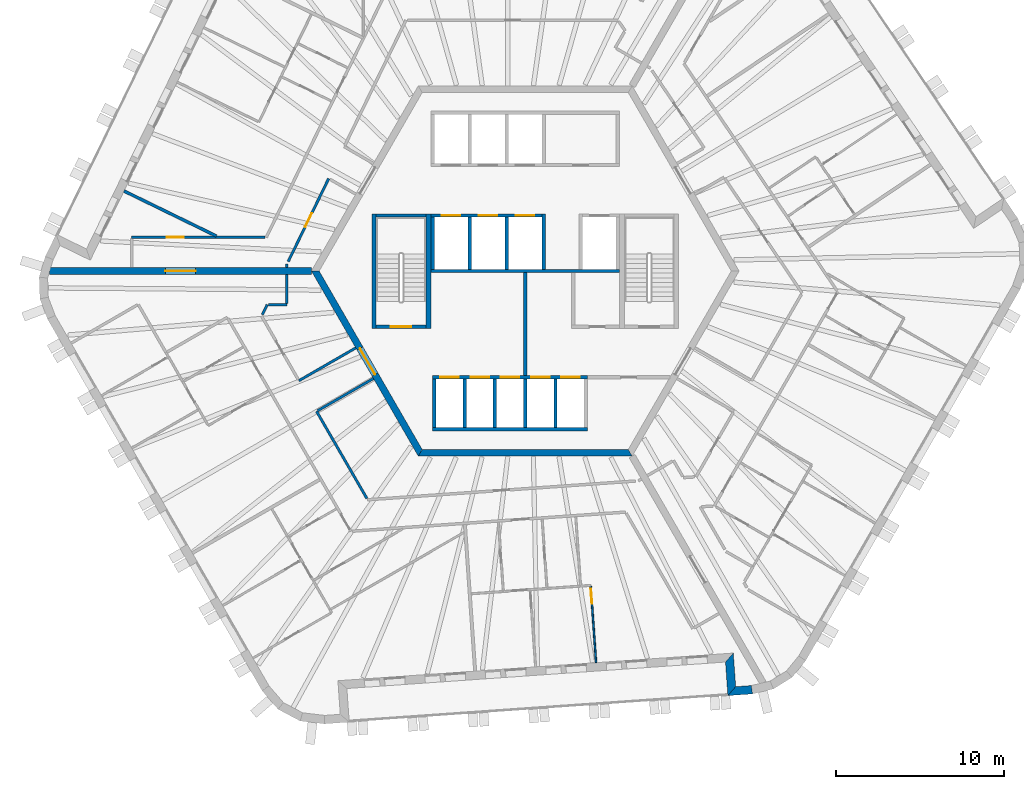
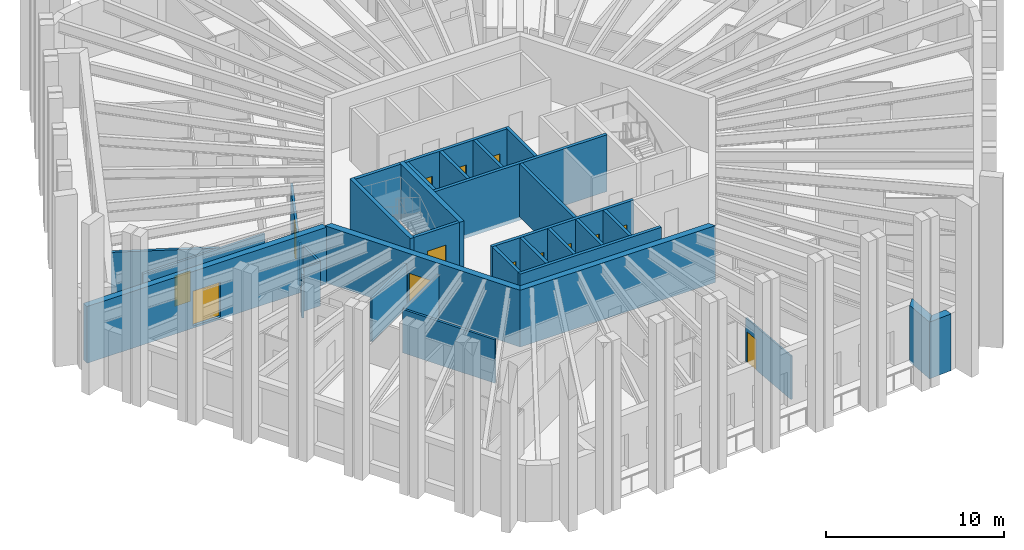
# One storey, part 5 of 13: 34 walls, 14 doors, 14 openings.
"""IFC4 building model written with IfcOpenShell, lengths in metres."""

from ifc_helpers import new_model, si_unit, direction, frame, frame_2d, origin, place, context, subcontext, project, spatial, polyline, rectangle, outline, extrude, material, layer, layer_set, type_object, element, fill, save


model = new_model("IFC4")

# Units and contexts
model_context = context("Model", 3, precision=1e-05, world=origin(), true_north=direction((0.0, 1.0)))
body_context = subcontext(model_context, "Body", "Model", "MODEL_VIEW")
ifc_project = project(units=[si_unit("LENGTHUNIT", "METRE"), si_unit("AREAUNIT", "SQUARE_METRE"), si_unit("VOLUMEUNIT", "CUBIC_METRE"), si_unit("PLANEANGLEUNIT", "RADIAN"), si_unit("MASSUNIT", "GRAM", prefix="KILO")], contexts=[model_context])

# Site, building, storey
site_placement = place(None, origin())
site = spatial("IfcSite", under=ifc_project, at=site_placement, CompositionType="ELEMENT")
building_placement = place(site_placement, origin())
building = spatial("IfcBuilding", under=site, at=building_placement, Name="Tarnside Tower", CompositionType="ELEMENT")
storey_placement = place(building_placement, frame((0.0, 0.0, 314.699951171875)))
storey = spatial("IfcBuildingStorey", under=building, at=storey_placement, Name="L76", CompositionType="ELEMENT", Elevation=314.699951171875)

# Wall
ifc_material_1 = material(Name="Concrete C40/50", Category="concrete")
ifc_layer_1 = layer(ifc_material_1, 0.199951171875)
ifc_layer_set_1 = layer_set([ifc_layer_1], Name="Core room partition 200 C40/50")
wall_type_1 = type_object("IfcWallType", Name="Core room partition 200 C40/50", PredefinedType="PARTITIONING", material=ifc_layer_set_1)
wall_1_placement = place(storey_placement, frame((0.0, -6.199951171875, 0.0), z_axis=(0.0, 0.0, 1.0), x_axis=(0.0, 1.0, 0.0)))
element("IfcWall", 1, at=wall_1_placement, inside=storey, type_object=wall_type_1, Name="L76 core partition X0", PredefinedType="PARTITIONING", context=body_context, shape_type="SweptSolid", body=[
    extrude(rectangle(XDim=6.099853515625, YDim=0.199951171875, at=frame_2d((3.0498046875, 0.0))), origin(), (0.0, 0.0, 1.0), 3.650146484375),
])

# Wall, opening, door
ifc_material_2 = material(Name="Concrete C60/75", Category="concrete")
ifc_layer_2 = layer(ifc_material_2, 0.39990234375)
ifc_layer_set_2 = layer_set([ifc_layer_2], Name="Core wall Z3 400 C60/75")
wall_type_2 = type_object("IfcWallType", Name="Core wall Z3 400 C60/75", PredefinedType="SHEAR", material=ifc_layer_set_2)
wall_2_placement = place(storey_placement, frame((-12.470703125, 0.0, -0.14990234375), z_axis=(0.0, 0.0, 1.0), x_axis=(0.499996419489, -0.866027470984, 0.0)))
wall_2 = element("IfcWall", 2, at=wall_2_placement, inside=storey, type_object=wall_type_2, Name="L76 core wall face 3", PredefinedType="SHEAR", context=body_context, shape_type="SweptSolid", body=[
    extrude(outline(polyline([(-0.115478515625, -0.199951171875), (12.586181640625, -0.199951171875), (12.355224609375, 0.199951171875), (0.115478515625, 0.199951171875), (-0.115478515625, -0.199951171875)])), origin(), (0.0, 0.0, 1.0), 3.89990234375),
])
opening_1_placement = place(wall_2_placement, frame((5.306396484375, 0.0, 0.14990234375)))
opening_1 = element("IfcOpeningElement", 3, at=opening_1_placement, cuts=wall_2, Name="Opening CD-FFL", PredefinedType="OPENING", context=body_context, shape_type="SweptSolid", body=[
    extrude(rectangle(XDim=1.800048828125, YDim=2.39990234375, at=frame_2d((0.89990234375, 1.199951171875))), frame((0.0, 0.2099609375, 0.0), z_axis=(0.0, -1.0, 0.0), x_axis=(1.0, 0.0, 0.0)), (0.0, 0.0, 1.0), 0.419921875),
])
ifc_material_3 = material(Name="Steel fire door", Category="steel")
door_type_1 = type_object("IfcDoorType", Name="Firefighting lobby double door FD60S 1800x2400", OperationType="NOTDEFINED", PredefinedType="DOOR", material=ifc_material_3)
door_1_placement = place(opening_1_placement, origin())
door_1 = element("IfcDoor", 4, at=door_1_placement, inside=storey, type_object=door_type_1, Name="L76 core door P3", OperationType="DOUBLE_DOOR_SINGLE_SWING", OverallHeight=2.39990234375, OverallWidth=1.800048828125, PredefinedType="DOOR", context=body_context, shape_type="SweptSolid", body=[
    extrude(rectangle(XDim=1.800048828125, YDim=2.39990234375, at=frame_2d((0.89990234375, 1.199951171875))), frame((0.0, 0.02490234375, 0.0), z_axis=(0.0, -1.0, 0.0), x_axis=(1.0, 0.0, 0.0)), (0.0, 0.0, 1.0), 0.050048828125),
])
fill(opening_1, door_1)

# Wall
wall_3_placement = place(storey_placement, frame((-6.2353515625, -10.800048828125, -0.14990234375), z_axis=(0.0, 0.0, 1.0), x_axis=(1.0, 0.0, 0.0)))
element("IfcWall", 5, at=wall_3_placement, inside=storey, type_object=wall_type_2, Name="L76 core wall face 4", PredefinedType="SHEAR", context=body_context, shape_type="SweptSolid", body=[
    extrude(outline(polyline([(-0.115478515625, -0.199951171875), (12.586181640625, -0.199951171875), (12.355224609375, 0.199951171875), (0.115478515625, 0.199951171875), (-0.115478515625, -0.199951171875)])), origin(), (0.0, 0.0, 1.0), 3.89990234375),
])

# Wall, opening, door
wall_4_placement = place(storey_placement, frame((-12.70166015625, 0.0, -0.14990234375), z_axis=(0.0, 0.0, 1.0), x_axis=(-1.0, 0.0, 0.0)))
wall_4 = element("IfcWall", 6, at=wall_4_placement, inside=storey, type_object=wall_type_2, Name="L76 spine wall 2", PredefinedType="SHEAR", context=body_context, shape_type="SweptSolid", body=[
    extrude(rectangle(XDim=15.54443359375, YDim=0.39990234375, at=frame_2d((7.772216796875, 0.0))), origin(), (0.0, 0.0, 1.0), 3.89990234375),
])
opening_2_placement = place(wall_4_placement, frame((6.872314453125, 0.0, 0.14990234375)))
opening_2 = element("IfcOpeningElement", 7, at=opening_2_placement, cuts=wall_4, Name="Opening CD-SPN", PredefinedType="OPENING", context=body_context, shape_type="SweptSolid", body=[
    extrude(rectangle(XDim=1.800048828125, YDim=2.39990234375, at=frame_2d((0.89990234375, 1.199951171875))), frame((0.0, 0.2099609375, 0.0), z_axis=(0.0, -1.0, 0.0), x_axis=(1.0, 0.0, 0.0)), (0.0, 0.0, 1.0), 0.419921875),
])
door_type_2 = type_object("IfcDoorType", Name="Spine passage double door FD60 1800x2400", OperationType="NOTDEFINED", PredefinedType="DOOR", material=ifc_material_3)
door_2_placement = place(opening_2_placement, origin())
door_2 = element("IfcDoor", 8, at=door_2_placement, inside=storey, type_object=door_type_2, Name="L76 spine passage door 2", OperationType="DOUBLE_DOOR_SINGLE_SWING", OverallHeight=2.39990234375, OverallWidth=1.800048828125, PredefinedType="DOOR", context=body_context, shape_type="SweptSolid", body=[
    extrude(rectangle(XDim=1.800048828125, YDim=2.39990234375, at=frame_2d((0.89990234375, 1.199951171875))), frame((0.0, 0.02490234375, 0.0), z_axis=(0.0, -1.0, 0.0), x_axis=(1.0, 0.0, 0.0)), (0.0, 0.0, 1.0), 0.050048828125),
])
fill(opening_2, door_2)

ifc_material_4 = material(Name="Gypsum board partition on steel studs", Category="steel")
ifc_layer_3 = layer(ifc_material_4, 0.14990234375)
ifc_layer_set_3 = layer_set([ifc_layer_3], Name="Corridor wall 150 EI 60")
wall_type_3 = type_object("IfcWallType", Name="Corridor wall 150 EI 60", PredefinedType="PARTITIONING", material=ifc_layer_set_3)
wall_5_placement = place(storey_placement, frame((-15.463134765625, 2.0, 0.0), z_axis=(0.0, 0.0, 1.0), x_axis=(-1.0, 0.0, 0.0)))
wall_5 = element("IfcWall", 9, at=wall_5_placement, inside=storey, type_object=wall_type_3, Name="Corridor wall 25014", PredefinedType="PARTITIONING", context=body_context, shape_type="SweptSolid", body=[
    extrude(rectangle(XDim=7.910888671875, YDim=0.14990234375, at=frame_2d((3.95556640625, 0.0))), origin(), (0.0, 0.0, 1.0), 2.98779296875),
])
opening_3_placement = place(wall_5_placement, frame((4.8173828125, 0.0, 0.0)))
opening_3 = element("IfcOpeningElement", 10, at=opening_3_placement, cuts=wall_5, Name="Opening D-E1", PredefinedType="OPENING", context=body_context, shape_type="SweptSolid", body=[
    extrude(rectangle(XDim=1.0, YDim=2.10009765625, at=frame_2d((0.5, 1.050048828125))), frame((0.0, 0.0849609375, 0.0), z_axis=(0.0, -1.0, 0.0), x_axis=(1.0, 0.0, 0.0)), (0.0, 0.0, 1.0), 0.169921875),
])
ifc_material_5 = material(Name="Timber door leaf", Category="wood")
door_type_3 = type_object("IfcDoorType", Name="Unit entrance door 1000 FD30S", OperationType="NOTDEFINED", PredefinedType="DOOR", material=ifc_material_5)
door_3_placement = place(opening_3_placement, origin())
door_3 = element("IfcDoor", 11, at=door_3_placement, inside=storey, type_object=door_type_3, Name="Unit door 25021", OperationType="SINGLE_SWING_LEFT", OverallHeight=2.10009765625, OverallWidth=1.0, PredefinedType="DOOR", context=body_context, shape_type="SweptSolid", body=[
    extrude(rectangle(XDim=1.0, YDim=2.10009765625, at=frame_2d((0.5, 1.050048828125))), frame((0.0, 0.02490234375, 0.0), z_axis=(0.0, -1.0, 0.0), x_axis=(1.0, 0.0, 0.0)), (0.0, 0.0, 1.0), 0.050048828125),
])
fill(opening_3, door_3)

# Wall
wall_6_placement = place(storey_placement, frame((-14.152587890625, 0.199951171875, 0.0), z_axis=(0.0, 0.0, 1.0), x_axis=(0.0, 1.0, 0.0)))
element("IfcWall", 12, at=wall_6_placement, inside=storey, type_object=wall_type_3, Name="Corridor wall 25025", PredefinedType="PARTITIONING", context=body_context, shape_type="SweptSolid", body=[
    extrude(rectangle(XDim=0.210205078125, YDim=0.14990234375, at=frame_2d((0.10498046875, 0.0))), origin(), (0.0, 0.0, 1.0), 2.98779296875),
])

# Wall, opening, door
wall_7_placement = place(storey_placement, frame((-14.07763671875, 0.563720703125, 0.0), z_axis=(0.0, 0.0, 1.0), x_axis=(0.438378907599, 0.898790261058, 0.0)))
wall_7 = element("IfcWall", 13, at=wall_7_placement, inside=storey, type_object=wall_type_3, Name="Corridor wall 25026", PredefinedType="PARTITIONING", context=body_context, shape_type="SweptSolid", body=[
    extrude(rectangle(XDim=5.485107421875, YDim=0.14990234375, at=frame_2d((2.74267578125, 0.0))), origin(), (0.0, 0.0, 1.0), 2.98779296875),
])
opening_4_placement = place(wall_7_placement, frame((2.29248046875, 0.0, 0.0)))
opening_4 = element("IfcOpeningElement", 14, at=opening_4_placement, cuts=wall_7, Name="Opening D-S1", PredefinedType="OPENING", context=body_context, shape_type="SweptSolid", body=[
    extrude(rectangle(XDim=0.89990234375, YDim=2.10009765625, at=frame_2d((0.449951171875, 1.050048828125))), frame((0.0, 0.0849609375, 0.0), z_axis=(0.0, -1.0, 0.0), x_axis=(1.0, 0.0, 0.0)), (0.0, 0.0, 1.0), 0.169921875),
])
door_type_4 = type_object("IfcDoorType", Name="Service room door 900 FD30S", OperationType="NOTDEFINED", PredefinedType="DOOR", material=ifc_material_5)
door_4_placement = place(opening_4_placement, origin())
door_4 = element("IfcDoor", 15, at=door_4_placement, inside=storey, type_object=door_type_4, Name="Service door 25072", OperationType="SINGLE_SWING_LEFT", OverallHeight=2.10009765625, OverallWidth=0.89990234375, PredefinedType="DOOR", context=body_context, shape_type="SweptSolid", body=[
    extrude(rectangle(XDim=0.89990234375, YDim=2.10009765625, at=frame_2d((0.449951171875, 1.050048828125))), frame((0.0, 0.02490234375, 0.0), z_axis=(0.0, -1.0, 0.0), x_axis=(1.0, 0.0, 0.0)), (0.0, 0.0, 1.0), 0.050048828125),
])
fill(opening_4, door_4)

# Walls
wall_8_placement = place(storey_placement, frame((-10.065673828125, -4.565673828125, 0.0), z_axis=(0.0, 0.0, 1.0), x_axis=(-0.866027128446, -0.499997012787, 0.0)))
element("IfcWall", 16, at=wall_8_placement, inside=storey, type_object=wall_type_3, Name="Corridor wall 25044", PredefinedType="PARTITIONING", context=body_context, shape_type="SweptSolid", body=[
    extrude(rectangle(XDim=3.89990234375, YDim=0.14990234375, at=frame_2d((1.949951171875, 0.0))), origin(), (0.0, 0.0, 1.0), 2.98779296875),
])
wall_9_placement = place(storey_placement, frame((-15.619140625, -2.596923828125, 0.0), z_axis=(0.0, 0.0, 1.0), x_axis=(0.438220812173, 0.898867353828, 0.0)))
element("IfcWall", 17, at=wall_9_placement, inside=storey, type_object=wall_type_3, Name="Corridor wall 25046", PredefinedType="PARTITIONING", context=body_context, shape_type="SweptSolid", body=[
    extrude(rectangle(XDim=0.6640625, YDim=0.14990234375, at=frame_2d((0.33203125, 0.0))), origin(), (0.0, 0.0, 1.0), 2.98779296875),
])
wall_10_placement = place(storey_placement, frame((-15.24462890625, -2.0, 0.0), z_axis=(0.0, 0.0, 1.0), x_axis=(1.0, 0.0, 0.0)))
element("IfcWall", 18, at=wall_10_placement, inside=storey, type_object=wall_type_3, Name="Corridor wall 25047", PredefinedType="PARTITIONING", context=body_context, shape_type="SweptSolid", body=[
    extrude(rectangle(XDim=1.092041015625, YDim=0.14990234375, at=frame_2d((0.5458984375, 0.0))), origin(), (0.0, 0.0, 1.0), 2.98779296875),
])
wall_11_placement = place(storey_placement, frame((-14.152587890625, -1.925048828125, 0.0), z_axis=(0.0, 0.0, 1.0), x_axis=(0.0, 1.0, 0.0)))
element("IfcWall", 19, at=wall_11_placement, inside=storey, type_object=wall_type_3, Name="Corridor wall 25048", PredefinedType="PARTITIONING", context=body_context, shape_type="SweptSolid", body=[
    extrude(rectangle(XDim=1.72509765625, YDim=0.14990234375, at=frame_2d((0.862548828125, 0.0))), origin(), (0.0, 0.0, 1.0), 2.98779296875),
])
wall_12_placement = place(storey_placement, frame((-9.40283203125, -13.513916015625, 0.0), z_axis=(0.0, 0.0, 1.0), x_axis=(-0.499998061752, 0.866026522829, 0.0)))
element("IfcWall", 20, at=wall_12_placement, inside=storey, type_object=wall_type_3, Name="Corridor wall 25051", PredefinedType="PARTITIONING", context=body_context, shape_type="SweptSolid", body=[
    extrude(rectangle(XDim=5.98095703125, YDim=0.14990234375, at=frame_2d((2.990478515625, 0.0))), origin(), (0.0, 0.0, 1.0), 2.98779296875),
])
wall_13_placement = place(storey_placement, frame((-12.328369140625, -8.296875, 0.0), z_axis=(0.0, 0.0, 1.0), x_axis=(0.866027222339, 0.499996850159, 0.0)))
element("IfcWall", 21, at=wall_13_placement, inside=storey, type_object=wall_type_3, Name="Corridor wall 25052", PredefinedType="PARTITIONING", context=body_context, shape_type="SweptSolid", body=[
    extrude(rectangle(XDim=3.8251953125, YDim=0.14990234375, at=frame_2d((1.91259765625, 0.0))), origin(), (0.0, 0.0, 1.0), 2.98779296875),
])
ifc_layer_4 = layer(ifc_material_4, 0.179931640625)
ifc_layer_set_4 = layer_set([ifc_layer_4], Name="Demising wall 180 EI 60")
wall_type_4 = type_object("IfcWallType", Name="Demising wall 180 EI 60", PredefinedType="PARTITIONING", material=ifc_layer_set_4)
wall_14_placement = place(storey_placement, frame((-23.82861328125, 4.75146484375, 0.0), z_axis=(0.0, 0.0, 1.0), x_axis=(0.898782665031, -0.438394481079, 0.0)))
element("IfcWall", 22, at=wall_14_placement, inside=storey, type_object=wall_type_4, Name="Demising wall 25107", PredefinedType="PARTITIONING", context=body_context, shape_type="SweptSolid", body=[
    extrude(rectangle(XDim=6.105224609375, YDim=0.179931640625, at=frame_2d((3.052734375, 0.0))), origin(), (0.0, 0.0, 1.0), 2.98779296875),
])

# Wall, openings, doors
ifc_layer_5 = layer(ifc_material_1, 0.199951171875)
ifc_layer_set_5 = layer_set([ifc_layer_5], Name="Lift shaft wall 200 C40/50")
wall_type_5 = type_object("IfcWallType", Name="Lift shaft wall 200 C40/50", PredefinedType="SHEAR", material=ifc_layer_set_5)
wall_15_placement = place(storey_placement, frame((-5.60009765625, 3.300048828125, -0.25), z_axis=(0.0, 0.0, 1.0), x_axis=(1.0, 0.0, 0.0)))
wall_15 = element("IfcWall", 23, at=wall_15_placement, inside=storey, type_object=wall_type_5, Name="L76 lift shaft front wall R2", PredefinedType="SHEAR", context=body_context, shape_type="SweptSolid", body=[
    extrude(rectangle(XDim=6.60009765625, YDim=0.199951171875, at=frame_2d((3.300048828125, 0.0))), origin(), (0.0, 0.0, 1.0), 3.900146484375),
])
opening_5_placement = place(wall_15_placement, frame((0.64990234375, 0.0, 0.25)))
opening_5 = element("IfcOpeningElement", 24, at=opening_5_placement, cuts=wall_15, Name="Opening LD", PredefinedType="OPENING", context=body_context, shape_type="SweptSolid", body=[
    extrude(rectangle(XDim=1.10009765625, YDim=2.10009765625, at=frame_2d((0.550048828125, 1.050048828125))), frame((0.0, 0.10986328125, 0.0), z_axis=(0.0, -1.0, 0.0), x_axis=(1.0, 0.0, 0.0)), (0.0, 0.0, 1.0), 0.219970703125),
])
opening_6_placement = place(wall_15_placement, frame((2.85009765625, 0.0, 0.25)))
opening_6 = element("IfcOpeningElement", 25, at=opening_6_placement, cuts=wall_15, Name="Opening LD", PredefinedType="OPENING", context=body_context, shape_type="SweptSolid", body=[
    extrude(rectangle(XDim=1.10009765625, YDim=2.10009765625, at=frame_2d((0.550048828125, 1.050048828125))), frame((0.0, 0.10986328125, 0.0), z_axis=(0.0, -1.0, 0.0), x_axis=(1.0, 0.0, 0.0)), (0.0, 0.0, 1.0), 0.219970703125),
])
opening_7_placement = place(wall_15_placement, frame((5.050048828125, 0.0, 0.25)))
opening_7 = element("IfcOpeningElement", 26, at=opening_7_placement, cuts=wall_15, Name="Opening LD", PredefinedType="OPENING", context=body_context, shape_type="SweptSolid", body=[
    extrude(rectangle(XDim=1.10009765625, YDim=2.10009765625, at=frame_2d((0.550048828125, 1.050048828125))), frame((0.0, 0.10986328125, 0.0), z_axis=(0.0, -1.0, 0.0), x_axis=(1.0, 0.0, 0.0)), (0.0, 0.0, 1.0), 0.219970703125),
])
ifc_material_6 = material(Name="Stainless steel", Category="steel")
door_type_5 = type_object("IfcDoorType", Name="Lift landing door 1100x2100", OperationType="NOTDEFINED", PredefinedType="DOOR", material=ifc_material_6)
door_5_placement = place(opening_5_placement, origin())
door_5 = element("IfcDoor", 27, at=door_5_placement, inside=storey, type_object=door_type_5, Name="High-rise lift 4 landing door L76", OperationType="SLIDING_TO_LEFT", OverallHeight=2.10009765625, OverallWidth=1.10009765625, PredefinedType="DOOR", context=body_context, shape_type="SweptSolid", body=[
    extrude(rectangle(XDim=1.10009765625, YDim=2.10009765625, at=frame_2d((0.550048828125, 1.050048828125))), frame((0.0, 0.02490234375, 0.0), z_axis=(0.0, -1.0, 0.0), x_axis=(1.0, 0.0, 0.0)), (0.0, 0.0, 1.0), 0.050048828125),
])
fill(opening_5, door_5)
door_6_placement = place(opening_6_placement, origin())
door_6 = element("IfcDoor", 28, at=door_6_placement, inside=storey, type_object=door_type_5, Name="High-rise lift 5 landing door L76", OperationType="SLIDING_TO_LEFT", OverallHeight=2.10009765625, OverallWidth=1.10009765625, PredefinedType="DOOR", context=body_context, shape_type="SweptSolid", body=[
    extrude(rectangle(XDim=1.10009765625, YDim=2.10009765625, at=frame_2d((0.550048828125, 1.050048828125))), frame((0.0, 0.02490234375, 0.0), z_axis=(0.0, -1.0, 0.0), x_axis=(1.0, 0.0, 0.0)), (0.0, 0.0, 1.0), 0.050048828125),
])
fill(opening_6, door_6)
door_7_placement = place(opening_7_placement, origin())
door_7 = element("IfcDoor", 29, at=door_7_placement, inside=storey, type_object=door_type_5, Name="High-rise lift 6 landing door L76", OperationType="SLIDING_TO_LEFT", OverallHeight=2.10009765625, OverallWidth=1.10009765625, PredefinedType="DOOR", context=body_context, shape_type="SweptSolid", body=[
    extrude(rectangle(XDim=1.10009765625, YDim=2.10009765625, at=frame_2d((0.550048828125, 1.050048828125))), frame((0.0, 0.02490234375, 0.0), z_axis=(0.0, -1.0, 0.0), x_axis=(1.0, 0.0, 0.0)), (0.0, 0.0, 1.0), 0.050048828125),
])
fill(opening_7, door_7)

# Walls
wall_16_placement = place(storey_placement, frame((-5.60009765625, 0.0, -0.25), z_axis=(0.0, 0.0, 1.0), x_axis=(1.0, 0.0, 0.0)))
element("IfcWall", 30, at=wall_16_placement, inside=storey, type_object=wall_type_5, Name="L76 lift shaft back wall R2", PredefinedType="SHEAR", context=body_context, shape_type="SweptSolid", body=[
    extrude(rectangle(XDim=11.2001953125, YDim=0.199951171875, at=frame_2d((5.60009765625, 0.0))), origin(), (0.0, 0.0, 1.0), 3.900146484375),
])
for number, where, z_axis, x_axis, name in (
    (31, (-5.5, 0.10009765625, -0.25), (0.0, 0.0, 1.0), (0.0, 1.0, 0.0), "L76 lift shaft partition R21"),
    (32, (-3.300048828125, 0.10009765625, -0.25), (0.0, 0.0, 1.0), (0.0, 1.0, 0.0), "L76 lift shaft partition R22"),
    (33, (-1.10009765625, 0.10009765625, -0.25), (0.0, 0.0, 1.0), (0.0, 1.0, 0.0), "L76 lift shaft partition R23"),
):
    element("IfcWall", number, at=place(storey_placement, frame(where, z_axis=z_axis, x_axis=x_axis)), inside=storey, type_object=wall_type_5, Name=name, PredefinedType="SHEAR", context=body_context, shape_type="SweptSolid", body=[
        extrude(rectangle(XDim=3.099853515625, YDim=0.199951171875, at=frame_2d((1.5498046875, 0.0))), origin(), (0.0, 0.0, 1.0), 3.900146484375),
    ])
wall_17_placement = place(storey_placement, frame((1.10009765625, 0.10009765625, -0.25), z_axis=(0.0, 0.0, 1.0), x_axis=(0.0, 1.0, 0.0)))
element("IfcWall", 34, at=wall_17_placement, inside=storey, type_object=wall_type_5, Name="L76 lift shaft partition R24", PredefinedType="SHEAR", context=body_context, shape_type="SweptSolid", body=[
    extrude(rectangle(XDim=3.2998046875, YDim=0.199951171875, at=frame_2d((1.64990234375, 0.0))), origin(), (0.0, 0.0, 1.0), 3.900146484375),
])

# Wall, openings, doors
wall_18_placement = place(storey_placement, frame((-5.5, -6.300048828125, -0.25), z_axis=(0.0, 0.0, 1.0), x_axis=(1.0, 0.0, 0.0)))
wall_18 = element("IfcWall", 35, at=wall_18_placement, inside=storey, type_object=wall_type_5, Name="L76 lift shaft front wall R4", PredefinedType="SHEAR", context=body_context, shape_type="SweptSolid", body=[
    extrude(rectangle(XDim=9.199951171875, YDim=0.199951171875, at=frame_2d((4.60009765625, 0.0))), origin(), (0.0, 0.0, 1.0), 3.900146484375),
])
opening_8_placement = place(wall_18_placement, frame((0.449951171875, 0.0, 0.25)))
opening_8 = element("IfcOpeningElement", 36, at=opening_8_placement, cuts=wall_18, Name="Opening LDF", PredefinedType="OPENING", context=body_context, shape_type="SweptSolid", body=[
    extrude(rectangle(XDim=1.10009765625, YDim=2.10009765625, at=frame_2d((0.550048828125, 1.050048828125))), frame((0.0, 0.10986328125, 0.0), z_axis=(0.0, -1.0, 0.0), x_axis=(1.0, 0.0, 0.0)), (0.0, 0.0, 1.0), 0.219970703125),
])
opening_9_placement = place(wall_18_placement, frame((2.25, 0.0, 0.25)))
opening_9 = element("IfcOpeningElement", 37, at=opening_9_placement, cuts=wall_18, Name="Opening LDF", PredefinedType="OPENING", context=body_context, shape_type="SweptSolid", body=[
    extrude(rectangle(XDim=1.10009765625, YDim=2.10009765625, at=frame_2d((0.550048828125, 1.050048828125))), frame((0.0, 0.10986328125, 0.0), z_axis=(0.0, -1.0, 0.0), x_axis=(1.0, 0.0, 0.0)), (0.0, 0.0, 1.0), 0.219970703125),
])
opening_10_placement = place(wall_18_placement, frame((4.050048828125, 0.0, 0.25)))
opening_10 = element("IfcOpeningElement", 38, at=opening_10_placement, cuts=wall_18, Name="Opening LDF", PredefinedType="OPENING", context=body_context, shape_type="SweptSolid", body=[
    extrude(rectangle(XDim=1.10009765625, YDim=2.10009765625, at=frame_2d((0.550048828125, 1.050048828125))), frame((0.0, 0.10986328125, 0.0), z_axis=(0.0, -1.0, 0.0), x_axis=(1.0, 0.0, 0.0)), (0.0, 0.0, 1.0), 0.219970703125),
])
opening_11_placement = place(wall_18_placement, frame((5.85009765625, 0.0, 0.25)))
opening_11 = element("IfcOpeningElement", 39, at=opening_11_placement, cuts=wall_18, Name="Opening LDF", PredefinedType="OPENING", context=body_context, shape_type="SweptSolid", body=[
    extrude(rectangle(XDim=1.10009765625, YDim=2.10009765625, at=frame_2d((0.550048828125, 1.050048828125))), frame((0.0, 0.10986328125, 0.0), z_axis=(0.0, -1.0, 0.0), x_axis=(1.0, 0.0, 0.0)), (0.0, 0.0, 1.0), 0.219970703125),
])
opening_12_placement = place(wall_18_placement, frame((7.64990234375, 0.0, 0.25)))
opening_12 = element("IfcOpeningElement", 40, at=opening_12_placement, cuts=wall_18, Name="Opening LDF", PredefinedType="OPENING", context=body_context, shape_type="SweptSolid", body=[
    extrude(rectangle(XDim=1.10009765625, YDim=2.10009765625, at=frame_2d((0.550048828125, 1.050048828125))), frame((0.0, 0.10986328125, 0.0), z_axis=(0.0, -1.0, 0.0), x_axis=(1.0, 0.0, 0.0)), (0.0, 0.0, 1.0), 0.219970703125),
])
door_type_6 = type_object("IfcDoorType", Name="Lift landing door 1100x2100 EI 120", OperationType="NOTDEFINED", PredefinedType="DOOR", material=ifc_material_6)
door_8_placement = place(opening_8_placement, origin())
door_8 = element("IfcDoor", 41, at=door_8_placement, inside=storey, type_object=door_type_6, Name="Firefighting lift 1 landing door L76", OperationType="SLIDING_TO_LEFT", OverallHeight=2.10009765625, OverallWidth=1.10009765625, PredefinedType="DOOR", context=body_context, shape_type="SweptSolid", body=[
    extrude(rectangle(XDim=1.10009765625, YDim=2.10009765625, at=frame_2d((0.550048828125, 1.050048828125))), frame((0.0, 0.02490234375, 0.0), z_axis=(0.0, -1.0, 0.0), x_axis=(1.0, 0.0, 0.0)), (0.0, 0.0, 1.0), 0.050048828125),
])
fill(opening_8, door_8)
door_9_placement = place(opening_9_placement, origin())
door_9 = element("IfcDoor", 42, at=door_9_placement, inside=storey, type_object=door_type_6, Name="Firefighting lift 2 landing door L76", OperationType="SLIDING_TO_LEFT", OverallHeight=2.10009765625, OverallWidth=1.10009765625, PredefinedType="DOOR", context=body_context, shape_type="SweptSolid", body=[
    extrude(rectangle(XDim=1.10009765625, YDim=2.10009765625, at=frame_2d((0.550048828125, 1.050048828125))), frame((0.0, 0.02490234375, 0.0), z_axis=(0.0, -1.0, 0.0), x_axis=(1.0, 0.0, 0.0)), (0.0, 0.0, 1.0), 0.050048828125),
])
fill(opening_9, door_9)
door_10_placement = place(opening_10_placement, origin())
door_10 = element("IfcDoor", 43, at=door_10_placement, inside=storey, type_object=door_type_6, Name="Firefighting lift 3 landing door L76", OperationType="SLIDING_TO_LEFT", OverallHeight=2.10009765625, OverallWidth=1.10009765625, PredefinedType="DOOR", context=body_context, shape_type="SweptSolid", body=[
    extrude(rectangle(XDim=1.10009765625, YDim=2.10009765625, at=frame_2d((0.550048828125, 1.050048828125))), frame((0.0, 0.02490234375, 0.0), z_axis=(0.0, -1.0, 0.0), x_axis=(1.0, 0.0, 0.0)), (0.0, 0.0, 1.0), 0.050048828125),
])
fill(opening_10, door_10)
door_11_placement = place(opening_11_placement, origin())
door_11 = element("IfcDoor", 44, at=door_11_placement, inside=storey, type_object=door_type_6, Name="Firefighting lift 4 landing door L76", OperationType="SLIDING_TO_LEFT", OverallHeight=2.10009765625, OverallWidth=1.10009765625, PredefinedType="DOOR", context=body_context, shape_type="SweptSolid", body=[
    extrude(rectangle(XDim=1.10009765625, YDim=2.10009765625, at=frame_2d((0.550048828125, 1.050048828125))), frame((0.0, 0.02490234375, 0.0), z_axis=(0.0, -1.0, 0.0), x_axis=(1.0, 0.0, 0.0)), (0.0, 0.0, 1.0), 0.050048828125),
])
fill(opening_11, door_11)
door_12_placement = place(opening_12_placement, origin())
door_12 = element("IfcDoor", 45, at=door_12_placement, inside=storey, type_object=door_type_6, Name="Firefighting lift 5 landing door L76", OperationType="SLIDING_TO_LEFT", OverallHeight=2.10009765625, OverallWidth=1.10009765625, PredefinedType="DOOR", context=body_context, shape_type="SweptSolid", body=[
    extrude(rectangle(XDim=1.10009765625, YDim=2.10009765625, at=frame_2d((0.550048828125, 1.050048828125))), frame((0.0, 0.02490234375, 0.0), z_axis=(0.0, -1.0, 0.0), x_axis=(1.0, 0.0, 0.0)), (0.0, 0.0, 1.0), 0.050048828125),
])
fill(opening_12, door_12)

# Walls
wall_19_placement = place(storey_placement, frame((-5.5, -9.39990234375, -0.25), z_axis=(0.0, 0.0, 1.0), x_axis=(1.0, 0.0, 0.0)))
element("IfcWall", 46, at=wall_19_placement, inside=storey, type_object=wall_type_5, Name="L76 lift shaft back wall R4", PredefinedType="SHEAR", context=body_context, shape_type="SweptSolid", body=[
    extrude(rectangle(XDim=9.199951171875, YDim=0.199951171875, at=frame_2d((4.60009765625, 0.0))), origin(), (0.0, 0.0, 1.0), 3.900146484375),
])
for number, where, z_axis, x_axis, name in (
    (47, (-5.39990234375, -9.300048828125, -0.25), (0.0, 0.0, 1.0), (0.0, 1.0, 0.0), "L76 lift shaft partition R41"),
    (48, (-3.60009765625, -9.300048828125, -0.25), (0.0, 0.0, 1.0), (0.0, 1.0, 0.0), "L76 lift shaft partition R42"),
    (49, (-1.800048828125, -9.300048828125, -0.25), (0.0, 0.0, 1.0), (0.0, 1.0, 0.0), "L76 lift shaft partition R43"),
    (50, (0.0, -9.300048828125, -0.25), (0.0, 0.0, 1.0), (0.0, 1.0, 0.0), "L76 lift shaft partition R44"),
    (51, (1.800048828125, -9.300048828125, -0.25), (0.0, 0.0, 1.0), (0.0, 1.0, 0.0), "L76 lift shaft partition R45"),
):
    element("IfcWall", number, at=place(storey_placement, frame(where, z_axis=z_axis, x_axis=x_axis)), inside=storey, type_object=wall_type_5, Name=name, PredefinedType="SHEAR", context=body_context, shape_type="SweptSolid", body=[
        extrude(rectangle(XDim=2.900146484375, YDim=0.199951171875, at=frame_2d((1.4501953125, 0.0))), origin(), (0.0, 0.0, 1.0), 3.900146484375),
    ])
wall_20_placement = place(storey_placement, frame((-8.85009765625, 3.300048828125, -0.25), z_axis=(0.0, 0.0, 1.0), x_axis=(1.0, 0.0, 0.0)))
element("IfcWall", 52, at=wall_20_placement, inside=storey, type_object=wall_type_5, Name="L76 stair 2 enclosure cap wall n", PredefinedType="SHEAR", context=body_context, shape_type="SweptSolid", body=[
    extrude(rectangle(XDim=2.9501953125, YDim=0.199951171875, at=frame_2d((1.47509765625, 0.0))), origin(), (0.0, 0.0, 1.0), 3.900146484375),
])

# Wall, opening, door
wall_21_placement = place(storey_placement, frame((-8.85009765625, -3.300048828125, -0.25), z_axis=(0.0, 0.0, 1.0), x_axis=(1.0, 0.0, 0.0)))
wall_21 = element("IfcWall", 53, at=wall_21_placement, inside=storey, type_object=wall_type_5, Name="L76 stair 2 enclosure cap wall s", PredefinedType="SHEAR", context=body_context, shape_type="SweptSolid", body=[
    extrude(rectangle(XDim=2.9501953125, YDim=0.199951171875, at=frame_2d((1.47509765625, 0.0))), origin(), (0.0, 0.0, 1.0), 3.900146484375),
])
opening_13_placement = place(wall_21_placement, frame((0.875, 0.0, 0.25)))
opening_13 = element("IfcOpeningElement", 54, at=opening_13_placement, cuts=wall_21, Name="Opening CD-STR", PredefinedType="OPENING", context=body_context, shape_type="SweptSolid", body=[
    extrude(rectangle(XDim=1.199951171875, YDim=2.39990234375, at=frame_2d((0.60009765625, 1.199951171875))), frame((0.0, 0.10986328125, 0.0), z_axis=(0.0, -1.0, 0.0), x_axis=(1.0, 0.0, 0.0)), (0.0, 0.0, 1.0), 0.219970703125),
])
door_type_7 = type_object("IfcDoorType", Name="Stair door FD60S 1200x2400", OperationType="NOTDEFINED", PredefinedType="DOOR", material=ifc_material_3)
door_13_placement = place(opening_13_placement, origin())
door_13 = element("IfcDoor", 55, at=door_13_placement, inside=storey, type_object=door_type_7, Name="L76 stair 2 door", OperationType="SINGLE_SWING_LEFT", OverallHeight=2.39990234375, OverallWidth=1.199951171875, PredefinedType="DOOR", context=body_context, shape_type="SweptSolid", body=[
    extrude(rectangle(XDim=1.199951171875, YDim=2.39990234375, at=frame_2d((0.60009765625, 1.199951171875))), frame((0.0, 0.02490234375, 0.0), z_axis=(0.0, -1.0, 0.0), x_axis=(1.0, 0.0, 0.0)), (0.0, 0.0, 1.0), 0.050048828125),
])
fill(opening_13, door_13)

# Walls
ifc_material_7 = material(Name="Dark zinc cladding")
ifc_layer_6 = layer(ifc_material_7, 0.10205078125)
ifc_material_8 = material(Name="Concrete C60/75 precast", Category="concrete")
ifc_layer_7 = layer(ifc_material_8, 0.298095703125)
ifc_material_9 = material(Name="Mineral wool insulation")
ifc_layer_8 = layer(ifc_material_9, 0.10009765625)
ifc_layer_set_6 = layer_set([ifc_layer_6, ifc_layer_7, ifc_layer_8], Name="Loggia wall 500 zinc faced")
wall_type_6 = type_object("IfcWallType", Name="Loggia wall 500 zinc faced", PredefinedType="SOLIDWALL", material=ifc_layer_set_6)
wall_22_placement = place(storey_placement, frame((12.128662109375, -22.9599609375, -0.14990234375), z_axis=(0.0, 0.0, 1.0), x_axis=(0.069824268692, -0.99755930726, 0.0)))
element("IfcWall", 56, at=wall_22_placement, inside=storey, type_object=wall_type_6, Name="Tube wall L76 F4 return 19", PredefinedType="SOLIDWALL", context=body_context, shape_type="SweptSolid", body=[
    extrude(outline(polyline([(0.25, -0.25), (2.25, -0.25), (1.75, 0.25), (-0.25, 0.25), (0.25, -0.25)])), origin(), (0.0, 0.0, 1.0), 3.89990234375),
])
wall_23_placement = place(storey_placement, frame((12.268310546875, -24.955078125, -0.14990234375), z_axis=(0.0, 0.0, 1.0), x_axis=(0.997561942506, 0.06978660948, 0.0)))
element("IfcWall", 57, at=wall_23_placement, inside=storey, type_object=wall_type_6, Name="Tube wall L76 F4 stub 20", PredefinedType="SOLIDWALL", context=body_context, shape_type="SweptSolid", body=[
    extrude(outline(polyline([(-0.25, -0.25), (1.220458984375, -0.25), (1.179443359375, 0.25), (0.25, 0.25), (-0.25, -0.25)])), origin(), (0.0, 0.0, 1.0), 3.89990234375),
])

# Wall, opening, door
ifc_layer_9 = layer(ifc_material_4, 0.10009765625)
ifc_layer_set_7 = layer_set([ifc_layer_9], Name="Partition 100")
wall_type_7 = type_object("IfcWallType", Name="Partition 100", PredefinedType="PARTITIONING", material=ifc_layer_set_7)
wall_24_placement = place(storey_placement, frame((3.890869140625, -18.72412109375, 0.0), z_axis=(0.0, 0.0, 1.0), x_axis=(0.06975224022, -0.997564346288, 0.0)))
wall_24 = element("IfcWall", 58, at=wall_24_placement, inside=storey, type_object=wall_type_7, Name="Partition wall 25137", PredefinedType="PARTITIONING", context=body_context, shape_type="SweptSolid", body=[
    extrude(rectangle(XDim=4.550048828125, YDim=0.10009765625, at=frame_2d((2.27490234375, 0.0))), origin(), (0.0, 0.0, 1.0), 2.98779296875),
])
opening_14_placement = place(wall_24_placement, frame((0.14990234375, 0.0, 0.0)))
opening_14 = element("IfcOpeningElement", 59, at=opening_14_placement, cuts=wall_24, Name="Opening D-I1", PredefinedType="OPENING", context=body_context, shape_type="SweptSolid", body=[
    extrude(rectangle(XDim=0.89990234375, YDim=2.10009765625, at=frame_2d((0.449951171875, 1.050048828125))), frame((0.0, 0.06005859375, 0.0), z_axis=(0.0, -1.0, 0.0), x_axis=(1.0, 0.0, 0.0)), (0.0, 0.0, 1.0), 0.1201171875),
])
door_type_8 = type_object("IfcDoorType", Name="Internal door 900", OperationType="NOTDEFINED", PredefinedType="DOOR", material=ifc_material_5)
door_14_placement = place(opening_14_placement, origin())
door_14 = element("IfcDoor", 60, at=door_14_placement, inside=storey, type_object=door_type_8, Name="Internal door 25045", OperationType="SINGLE_SWING_RIGHT", OverallHeight=2.10009765625, OverallWidth=0.89990234375, PredefinedType="DOOR", context=body_context, shape_type="SweptSolid", body=[
    extrude(rectangle(XDim=0.89990234375, YDim=2.10009765625, at=frame_2d((0.449951171875, 1.050048828125))), frame((0.0, 0.02490234375, 0.0), z_axis=(0.0, -1.0, 0.0), x_axis=(1.0, 0.0, 0.0)), (0.0, 0.0, 1.0), 0.050048828125),
])
fill(opening_14, door_14)

# Walls
ifc_layer_10 = layer(ifc_material_1, 0.25)
ifc_layer_set_8 = layer_set([ifc_layer_10], Name="Stair enclosure wall 250 C40/50")
wall_type_8 = type_object("IfcWallType", Name="Stair enclosure wall 250 C40/50", PredefinedType="SHEAR", material=ifc_layer_set_8)
wall_25_placement = place(storey_placement, frame((-8.97509765625, -3.39990234375, -0.25), z_axis=(0.0, 0.0, 1.0), x_axis=(0.0, 1.0, 0.0)))
element("IfcWall", 61, at=wall_25_placement, inside=storey, type_object=wall_type_8, Name="L76 stair 2 enclosure wall outer", PredefinedType="SHEAR", context=body_context, shape_type="SweptSolid", body=[
    extrude(rectangle(XDim=6.7998046875, YDim=0.25, at=frame_2d((3.39990234375, 0.0))), origin(), (0.0, 0.0, 1.0), 3.900146484375),
])
ifc_layer_11 = layer(ifc_material_1, 0.300048828125)
ifc_layer_set_9 = layer_set([ifc_layer_11], Name="Stair enclosure wall 300 C40/50")
wall_type_9 = type_object("IfcWallType", Name="Stair enclosure wall 300 C40/50", PredefinedType="SHEAR", material=ifc_layer_set_9)
wall_26_placement = place(storey_placement, frame((-5.75, -3.39990234375, -0.25), z_axis=(0.0, 0.0, 1.0), x_axis=(0.0, 1.0, 0.0)))
element("IfcWall", 62, at=wall_26_placement, inside=storey, type_object=wall_type_9, Name="L76 stair 2 enclosure wall inner", PredefinedType="SHEAR", context=body_context, shape_type="SweptSolid", body=[
    extrude(rectangle(XDim=6.7998046875, YDim=0.300048828125, at=frame_2d((3.39990234375, 0.0))), origin(), (0.0, 0.0, 1.0), 3.900146484375),
])

save(model, "model.ifc")
